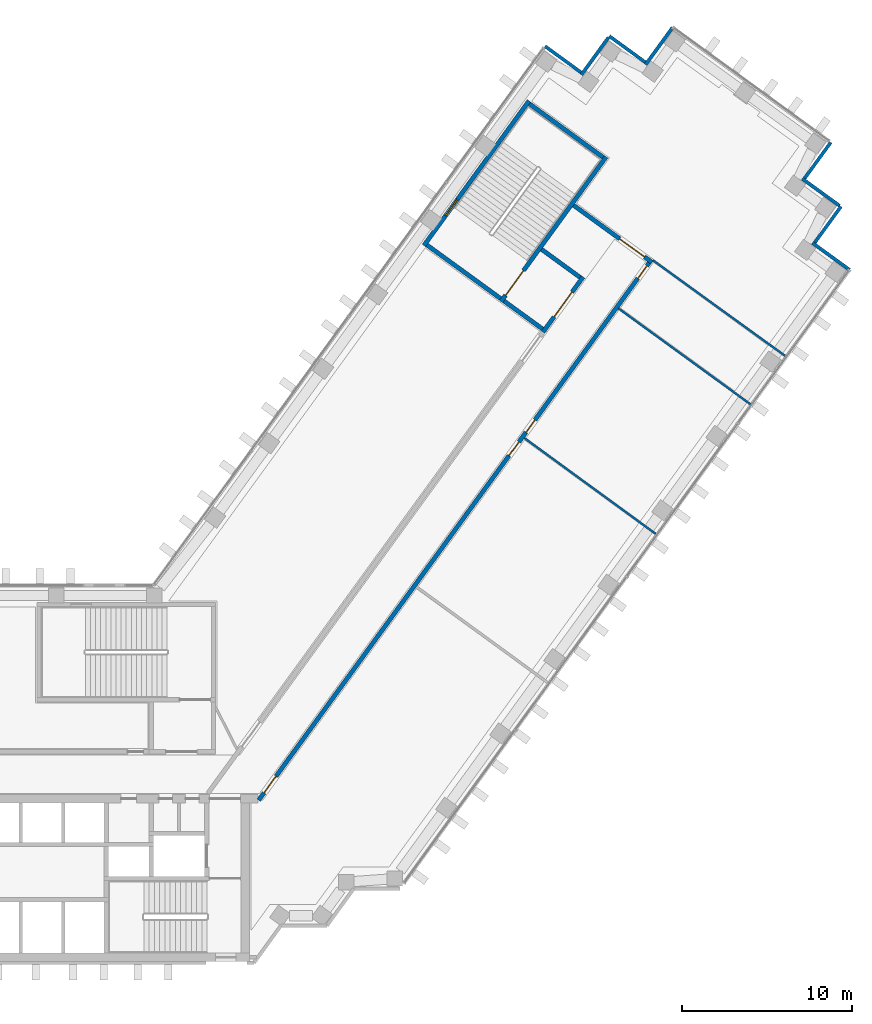
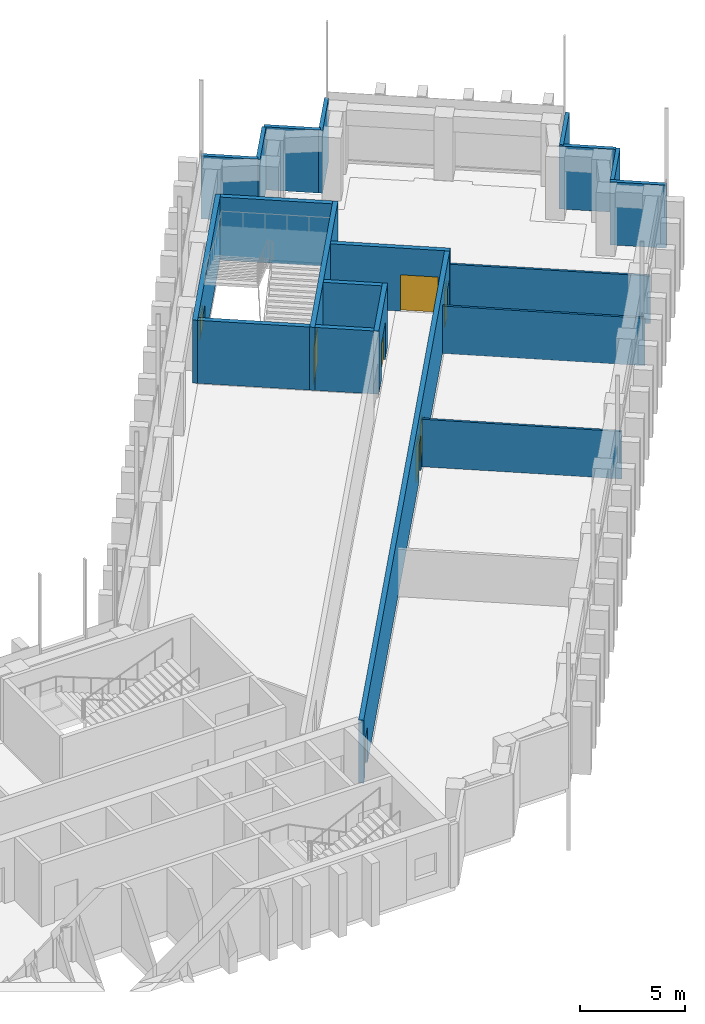
# One storey, part 14 of 18: 20 walls, 7 doors, 1 window, 8 openings.
"""IFC4 building model written with IfcOpenShell, lengths in metres."""

from ifc_helpers import new_model, si_unit, direction, frame, frame_2d, origin, place, context, subcontext, project, spatial, rectangle, extrude, material, layer, layer_set, type_object, element, fill, save


model = new_model("IFC4")

# Units and contexts
model_context = context("Model", 3, precision=1e-05, world=origin(), true_north=direction((0.0, 1.0)))
body_context = subcontext(model_context, "Body", "Model", "MODEL_VIEW")
ifc_project = project(units=[si_unit("LENGTHUNIT", "METRE"), si_unit("AREAUNIT", "SQUARE_METRE"), si_unit("VOLUMEUNIT", "CUBIC_METRE"), si_unit("PLANEANGLEUNIT", "RADIAN"), si_unit("MASSUNIT", "GRAM", prefix="KILO")], contexts=[model_context])

# Site, building, storey
site_placement = place(None, origin())
site = spatial("IfcSite", under=ifc_project, at=site_placement, CompositionType="ELEMENT")
building_placement = place(site_placement, origin())
building = spatial("IfcBuilding", under=site, at=building_placement, Name="Quipu Civic Tower", CompositionType="ELEMENT")
storey_placement = place(building_placement, frame((0.0, 0.0, 59.0)))
storey = spatial("IfcBuildingStorey", under=building, at=storey_placement, Name="L13", CompositionType="ELEMENT", Elevation=59.0)

# Wall, opening, door
ifc_material_1 = material(Name="Concrete C70/85", Category="concrete")
ifc_layer_1 = layer(ifc_material_1, 0.25)
ifc_layer_set_1 = layer_set([ifc_layer_1], Name="Concrete C70/85")
wall_type_1 = type_object("IfcWallType", Name="Core wall 250", PredefinedType="SHEAR", material=ifc_layer_set_1)
wall_1_placement = place(storey_placement, frame((37.237548828125, 25.979736328125, 0.0), z_axis=(0.0, 0.0, 1.0), x_axis=(0.587772420479, 0.809026317077, 0.0)))
wall_1 = element("IfcWall", 1, at=wall_1_placement, inside=storey, type_object=wall_type_1, Name="Core wall", PredefinedType="SHEAR", context=body_context, shape_type="SweptSolid", body=[
    extrude(rectangle(XDim=4.0, YDim=0.25, at=frame_2d((2.0, 0.0))), origin(), (0.0, 0.0, 1.0), 3.64990234375),
])
opening_1_placement = place(wall_1_placement, frame((1.10009765625, 0.0, 0.0)))
opening_1 = element("IfcOpeningElement", 2, at=opening_1_placement, cuts=wall_1, Name="Opening CD-22", PredefinedType="OPENING", context=body_context, shape_type="SweptSolid", body=[
    extrude(rectangle(XDim=1.800048828125, YDim=2.10009765625, at=frame_2d((0.89990234375, 1.050048828125))), frame((0.0, 0.135009765625, 0.0), z_axis=(0.0, -1.0, 0.0), x_axis=(1.0, 0.0, 0.0)), (0.0, 0.0, 1.0), 0.27001953125),
])
ifc_material_2 = material(Name="Fire rated steel door", Category="steel")
door_type_1 = type_object("IfcDoorType", Name="Fire door FD90 double 1800 x 2100", OperationType="NOTDEFINED", PredefinedType="DOOR", material=ifc_material_2)
door_1_placement = place(opening_1_placement, origin())
door_1 = element("IfcDoor", 3, at=door_1_placement, inside=storey, type_object=door_type_1, Name="Lobby door", OperationType="DOUBLE_DOOR_SINGLE_SWING", OverallHeight=2.10009765625, OverallWidth=1.800048828125, PredefinedType="DOOR", context=body_context, shape_type="SweptSolid", body=[
    extrude(rectangle(XDim=1.800048828125, YDim=2.10009765625, at=frame_2d((0.89990234375, 1.050048828125))), frame((0.0, 0.02490234375, 0.0), z_axis=(0.0, -1.0, 0.0), x_axis=(1.0, 0.0, 0.0)), (0.0, 0.0, 1.0), 0.050048828125),
])
fill(opening_1, door_1)

# Walls
for number, where, z_axis, x_axis, name in (
    (4, (37.2099609375, 26.154296875, 0.0), (0.0, 0.0, 1.0), (-0.809041377956, 0.587751689708, 0.0), "Core wall"),
    (5, (39.4140625, 29.18798828125, 0.0), (0.0, 0.0, 1.0), (-0.808969789945, 0.58785021813, 0.0), "Core wall"),
):
    element("IfcWall", number, at=place(storey_placement, frame(where, z_axis=z_axis, x_axis=x_axis)), inside=storey, type_object=wall_type_1, Name=name, PredefinedType="SHEAR", context=body_context, shape_type="SweptSolid", body=[
        extrude(rectangle(XDim=2.800048828125, YDim=0.25, at=frame_2d((1.39990234375, 0.0))), origin(), (0.0, 0.0, 1.0), 3.64990234375),
    ])

# Wall, opening, door
wall_2_placement = place(storey_placement, frame((34.77001953125, 27.7724609375, 0.0), z_axis=(0.0, 0.0, 1.0), x_axis=(0.587795589702, 0.809009483706, 0.0)))
wall_2 = element("IfcWall", 6, at=wall_2_placement, inside=storey, type_object=wall_type_1, Name="Core wall", PredefinedType="SHEAR", context=body_context, shape_type="SweptSolid", body=[
    extrude(rectangle(XDim=10.5, YDim=0.25, at=frame_2d((5.25, 0.0))), origin(), (0.0, 0.0, 1.0), 3.64990234375),
])
opening_2_placement = place(wall_2_placement, frame((0.449951171875, 0.0, 0.0)))
opening_2 = element("IfcOpeningElement", 7, at=opening_2_placement, cuts=wall_2, Name="Opening CD-23", PredefinedType="OPENING", context=body_context, shape_type="SweptSolid", body=[
    extrude(rectangle(XDim=1.800048828125, YDim=2.10009765625, at=frame_2d((0.89990234375, 1.050048828125))), frame((0.0, 0.135009765625, 0.0), z_axis=(0.0, -1.0, 0.0), x_axis=(1.0, 0.0, 0.0)), (0.0, 0.0, 1.0), 0.27001953125),
])
door_2_placement = place(opening_2_placement, origin())
door_2 = element("IfcDoor", 8, at=door_2_placement, inside=storey, type_object=door_type_1, Name="Door", OperationType="DOUBLE_DOOR_SINGLE_SWING", OverallHeight=2.10009765625, OverallWidth=1.800048828125, PredefinedType="DOOR", context=body_context, shape_type="SweptSolid", body=[
    extrude(rectangle(XDim=1.800048828125, YDim=2.10009765625, at=frame_2d((0.89990234375, 1.050048828125))), frame((0.0, 0.02490234375, 0.0), z_axis=(0.0, -1.0, 0.0), x_axis=(1.0, 0.0, 0.0)), (0.0, 0.0, 1.0), 0.050048828125),
])
fill(opening_2, door_2)

# Walls
wall_3_placement = place(storey_placement, frame((34.742431640625, 27.947021484375, 0.0), z_axis=(0.0, 0.0, 1.0), x_axis=(-0.8089984606, 0.587810760999, 0.0)))
element("IfcWall", 9, at=wall_3_placement, inside=storey, type_object=wall_type_1, Name="Core wall", PredefinedType="SHEAR", context=body_context, shape_type="SweptSolid", body=[
    extrude(rectangle(XDim=5.35009765625, YDim=0.25, at=frame_2d((2.675048828125, 0.0))), origin(), (0.0, 0.0, 1.0), 3.64990234375),
])
wall_4_placement = place(storey_placement, frame((40.76708984375, 36.239501953125, 0.0), z_axis=(0.0, 0.0, 1.0), x_axis=(-0.809020161303, 0.587780893365, 0.0)))
element("IfcWall", 10, at=wall_4_placement, inside=storey, type_object=wall_type_1, Name="Core wall", PredefinedType="SHEAR", context=body_context, shape_type="SweptSolid", body=[
    extrude(rectangle(XDim=5.349853515625, YDim=0.25, at=frame_2d((2.6748046875, 0.0))), origin(), (0.0, 0.0, 1.0), 3.64990234375),
])

# Wall, opening, window
wall_5_placement = place(storey_placement, frame((30.239501953125, 31.06396484375, 0.0), z_axis=(0.0, 0.0, 1.0), x_axis=(0.587795589702, 0.809009483706, 0.0)))
wall_5 = element("IfcWall", 11, at=wall_5_placement, inside=storey, type_object=wall_type_1, Name="Core wall", PredefinedType="SHEAR", context=body_context, shape_type="SweptSolid", body=[
    extrude(rectangle(XDim=10.5, YDim=0.25, at=frame_2d((5.25, 0.0))), origin(), (0.0, 0.0, 1.0), 3.64990234375),
])
opening_3_placement = place(wall_5_placement, frame((2.14990234375, 0.0, 1.0)))
opening_3 = element("IfcOpeningElement", 12, at=opening_3_placement, cuts=wall_5, Name="Opening SV-7", PredefinedType="OPENING", context=body_context, shape_type="SweptSolid", body=[
    extrude(rectangle(XDim=1.199951171875, YDim=1.199951171875, at=frame_2d((0.60009765625, 0.60009765625))), frame((0.0, 0.135009765625, 0.0), z_axis=(0.0, -1.0, 0.0), x_axis=(1.0, 0.0, 0.0)), (0.0, 0.0, 1.0), 0.27001953125),
])
ifc_material_3 = material(Name="Aluminium louvre", Category="aluminium")
window_type = type_object("IfcWindowType", Name="Stair ventilation louvre 1200 x 1200", PartitioningType="SINGLE_PANEL", PredefinedType="WINDOW", material=ifc_material_3)
window_placement = place(opening_3_placement, origin())
window = element("IfcWindow", 13, at=window_placement, inside=storey, type_object=window_type, Name="Stair ventilation opening", OverallHeight=1.199951171875, OverallWidth=1.199951171875, PartitioningType="SINGLE_PANEL", PredefinedType="WINDOW", context=body_context, shape_type="SweptSolid", body=[
    extrude(rectangle(XDim=1.199951171875, YDim=1.199951171875, at=frame_2d((0.60009765625, 0.60009765625))), frame((0.0, 0.030029296875, 0.0), z_axis=(0.0, -1.0, 0.0), x_axis=(1.0, 0.0, 0.0)), (0.0, 0.0, 1.0), 0.06005859375),
])
fill(opening_3, window)

# Wall, opening, door
ifc_material_4 = material(Name="Concrete C50/60", Category="concrete")
ifc_layer_2 = layer(ifc_material_4, 0.25)
ifc_layer_set_2 = layer_set([ifc_layer_2], Name="Concrete C50/60")
wall_type_2 = type_object("IfcWallType", Name="Corridor wall 250 concrete", PredefinedType="SOLIDWALL", material=ifc_layer_set_2)
wall_6_placement = place(storey_placement, frame((39.03369140625, 33.419921875, 0.0), z_axis=(0.0, 0.0, 1.0), x_axis=(0.809023325802, -0.587776537732, 0.0)))
wall_6 = element("IfcWall", 14, at=wall_6_placement, inside=storey, type_object=wall_type_2, Name="Corridor wall C07", PredefinedType="SOLIDWALL", context=body_context, shape_type="SweptSolid", body=[
    extrude(rectangle(XDim=5.695068359375, YDim=0.25, at=frame_2d((2.84765625, 0.0))), origin(), (0.0, 0.0, 1.0), 3.64990234375),
])
opening_4_placement = place(wall_6_placement, frame((3.34521484375, 0.0, 0.0)))
opening_4 = element("IfcOpeningElement", 15, at=opening_4_placement, cuts=wall_6, Name="Opening D007", PredefinedType="OPENING", context=body_context, shape_type="SweptSolid", body=[
    extrude(rectangle(XDim=1.800048828125, YDim=2.10009765625, at=frame_2d((0.89990234375, 1.050048828125))), frame((0.0, 0.135009765625, 0.0), z_axis=(0.0, -1.0, 0.0), x_axis=(1.0, 0.0, 0.0)), (0.0, 0.0, 1.0), 0.27001953125),
])
ifc_material_5 = material(Name="Fire rated timber door set with metal frame", Category="wood")
door_type_2 = type_object("IfcDoorType", Name="Double door 1800 x 2100 FD60", OperationType="DOUBLE_DOOR_SINGLE_SWING", PredefinedType="DOOR", material=ifc_material_5)
door_3_placement = place(opening_4_placement, origin())
door_3 = element("IfcDoor", 16, at=door_3_placement, inside=storey, type_object=door_type_2, Name="Door D007", OperationType="DOUBLE_DOOR_SINGLE_SWING", OverallHeight=2.10009765625, OverallWidth=1.800048828125, PredefinedType="DOOR", context=body_context, shape_type="SweptSolid", body=[
    extrude(rectangle(XDim=1.800048828125, YDim=2.10009765625, at=frame_2d((0.89990234375, 1.050048828125))), frame((0.0, 0.02490234375, 0.0), z_axis=(0.0, -1.0, 0.0), x_axis=(1.0, 0.0, 0.0)), (0.0, 0.0, 1.0), 0.050048828125),
])
fill(opening_4, door_3)

# Wall, openings, doors
wall_7_placement = place(storey_placement, frame((43.466552734375, 30.044677734375, 0.0), z_axis=(0.0, 0.0, 1.0), x_axis=(-0.587784726077, -0.809017376692, 0.0)))
wall_7 = element("IfcWall", 17, at=wall_7_placement, inside=storey, type_object=wall_type_2, Name="Corridor wall C08", PredefinedType="SOLIDWALL", context=body_context, shape_type="SweptSolid", body=[
    extrude(rectangle(XDim=39.020263671875, YDim=0.25, at=frame_2d((19.51025390625, 0.0))), origin(), (0.0, 0.0, 1.0), 3.64990234375),
])
opening_5_placement = place(wall_7_placement, frame((11.404296875, 0.0, 0.0)))
opening_5 = element("IfcOpeningElement", 18, at=opening_5_placement, cuts=wall_7, Name="Opening D005", PredefinedType="OPENING", context=body_context, shape_type="SweptSolid", body=[
    extrude(rectangle(XDim=0.89990234375, YDim=2.10009765625, at=frame_2d((0.449951171875, 1.050048828125))), frame((0.0, 0.135009765625, 0.0), z_axis=(0.0, -1.0, 0.0), x_axis=(1.0, 0.0, 0.0)), (0.0, 0.0, 1.0), 0.27001953125),
])
opening_6_placement = place(wall_7_placement, frame((13.00439453125, 0.0, 0.0)))
opening_6 = element("IfcOpeningElement", 19, at=opening_6_placement, cuts=wall_7, Name="Opening D004", PredefinedType="OPENING", context=body_context, shape_type="SweptSolid", body=[
    extrude(rectangle(XDim=1.0, YDim=2.10009765625, at=frame_2d((0.5, 1.050048828125))), frame((0.0, 0.135009765625, 0.0), z_axis=(0.0, -1.0, 0.0), x_axis=(1.0, 0.0, 0.0)), (0.0, 0.0, 1.0), 0.27001953125),
])
opening_7_placement = place(wall_7_placement, frame((37.287109375, 0.0, 0.0)))
opening_7 = element("IfcOpeningElement", 20, at=opening_7_placement, cuts=wall_7, Name="Opening D003", PredefinedType="OPENING", context=body_context, shape_type="SweptSolid", body=[
    extrude(rectangle(XDim=1.199951171875, YDim=2.10009765625, at=frame_2d((0.60009765625, 1.050048828125))), frame((0.0, 0.135009765625, 0.0), z_axis=(0.0, -1.0, 0.0), x_axis=(1.0, 0.0, 0.0)), (0.0, 0.0, 1.0), 0.27001953125),
])
opening_8_placement = place(wall_7_placement, frame((0.224365234375, 0.0, 0.0)))
opening_8 = element("IfcOpeningElement", 21, at=opening_8_placement, cuts=wall_7, Name="Opening D006", PredefinedType="OPENING", context=body_context, shape_type="SweptSolid", body=[
    extrude(rectangle(XDim=0.89990234375, YDim=2.10009765625, at=frame_2d((0.449951171875, 1.050048828125))), frame((0.0, 0.135009765625, 0.0), z_axis=(0.0, -1.0, 0.0), x_axis=(1.0, 0.0, 0.0)), (0.0, 0.0, 1.0), 0.27001953125),
])
ifc_material_6 = material(Name="Fire rated timber door set with metal frame", Category="wood")
door_type_3 = type_object("IfcDoorType", Name="Single door 1000 x 2100 FD60", OperationType="NOTDEFINED", PredefinedType="DOOR", material=ifc_material_6)
door_4_placement = place(opening_6_placement, origin())
door_4 = element("IfcDoor", 22, at=door_4_placement, inside=storey, type_object=door_type_3, Name="Door D004", OperationType="SINGLE_SWING_LEFT", OverallHeight=2.10009765625, OverallWidth=1.0, PredefinedType="DOOR", context=body_context, shape_type="SweptSolid", body=[
    extrude(rectangle(XDim=1.0, YDim=2.10009765625, at=frame_2d((0.5, 1.050048828125))), frame((0.0, 0.02490234375, 0.0), z_axis=(0.0, -1.0, 0.0), x_axis=(1.0, 0.0, 0.0)), (0.0, 0.0, 1.0), 0.050048828125),
])
fill(opening_6, door_4)
ifc_material_7 = material(Name="Fire rated timber door set with metal frame", Category="wood")
door_type_4 = type_object("IfcDoorType", Name="Single door 1200 x 2100 FD60", OperationType="NOTDEFINED", PredefinedType="DOOR", material=ifc_material_7)
door_5_placement = place(opening_7_placement, origin())
door_5 = element("IfcDoor", 23, at=door_5_placement, inside=storey, type_object=door_type_4, Name="Door D003", OperationType="SINGLE_SWING_RIGHT", OverallHeight=2.10009765625, OverallWidth=1.199951171875, PredefinedType="DOOR", context=body_context, shape_type="SweptSolid", body=[
    extrude(rectangle(XDim=1.199951171875, YDim=2.10009765625, at=frame_2d((0.60009765625, 1.050048828125))), frame((0.0, 0.02490234375, 0.0), z_axis=(0.0, -1.0, 0.0), x_axis=(1.0, 0.0, 0.0)), (0.0, 0.0, 1.0), 0.050048828125),
])
fill(opening_7, door_5)
ifc_material_8 = material(Name="Fire rated timber door set with metal frame", Category="wood")
door_type_5 = type_object("IfcDoorType", Name="Single door 900 x 2100 FD60", OperationType="NOTDEFINED", PredefinedType="DOOR", material=ifc_material_8)
door_6_placement = place(opening_5_placement, origin())
door_6 = element("IfcDoor", 24, at=door_6_placement, inside=storey, type_object=door_type_5, Name="Door D005", OperationType="SINGLE_SWING_RIGHT", OverallHeight=2.10009765625, OverallWidth=0.89990234375, PredefinedType="DOOR", context=body_context, shape_type="SweptSolid", body=[
    extrude(rectangle(XDim=0.89990234375, YDim=2.10009765625, at=frame_2d((0.449951171875, 1.050048828125))), frame((0.0, 0.02490234375, 0.0), z_axis=(0.0, -1.0, 0.0), x_axis=(1.0, 0.0, 0.0)), (0.0, 0.0, 1.0), 0.050048828125),
])
fill(opening_5, door_6)
door_7_placement = place(opening_8_placement, origin())
door_7 = element("IfcDoor", 25, at=door_7_placement, inside=storey, type_object=door_type_5, Name="Door D006", OperationType="SINGLE_SWING_LEFT", OverallHeight=2.10009765625, OverallWidth=0.89990234375, PredefinedType="DOOR", context=body_context, shape_type="SweptSolid", body=[
    extrude(rectangle(XDim=0.89990234375, YDim=2.10009765625, at=frame_2d((0.449951171875, 1.050048828125))), frame((0.0, 0.02490234375, 0.0), z_axis=(0.0, -1.0, 0.0), x_axis=(1.0, 0.0, 0.0)), (0.0, 0.0, 1.0), 0.050048828125),
])
fill(opening_8, door_7)

# Walls
ifc_material_9 = material(Name="Gypsum plasterboard on light gauge framing")
ifc_layer_3 = layer(ifc_material_9, 0.1201171875)
ifc_layer_set_3 = layer_set([ifc_layer_3], Name="Gypsum plasterboard on light gauge framing")
wall_type_3 = type_object("IfcWallType", Name="Partition 120 plasterboard", PredefinedType="PARTITIONING", material=ifc_layer_set_3)
wall_8_placement = place(storey_placement, frame((43.698486328125, 30.185302734375, 0.0), z_axis=(0.0, 0.0, 1.0), x_axis=(0.810419489461, -0.58585002441, 0.0)))
element("IfcWall", 26, at=wall_8_placement, inside=storey, type_object=wall_type_3, Name="Partition P01", PredefinedType="PARTITIONING", context=body_context, shape_type="SweptSolid", body=[
    extrude(rectangle(XDim=9.570068359375, YDim=0.1201171875, at=frame_2d((4.78515625, 0.0))), origin(), (0.0, 0.0, 1.0), 2.75),
])
wall_9_placement = place(storey_placement, frame((36.140869140625, 19.749267578125, 0.0), z_axis=(0.0, 0.0, 1.0), x_axis=(0.807691251741, -0.589605666408, 0.0)))
element("IfcWall", 27, at=wall_9_placement, inside=storey, type_object=wall_type_3, Name="Partition P06", PredefinedType="PARTITIONING", context=body_context, shape_type="SweptSolid", body=[
    extrude(rectangle(XDim=9.55029296875, YDim=0.1201171875, at=frame_2d((4.775146484375, 0.0))), origin(), (0.0, 0.0, 1.0), 2.75),
])
wall_10_placement = place(storey_placement, frame((49.47998046875, 21.689697265625, 0.0), z_axis=(0.0, 0.0, 1.0), x_axis=(-0.808999631097, 0.587809150052, 0.0)))
element("IfcWall", 28, at=wall_10_placement, inside=storey, type_object=wall_type_3, Name="Partition P07", PredefinedType="PARTITIONING", context=body_context, shape_type="SweptSolid", body=[
    extrude(rectangle(XDim=9.6513671875, YDim=0.1201171875, at=frame_2d((4.82568359375, 0.0))), origin(), (0.0, 0.0, 1.0), 2.75),
])
ifc_material_10 = material(Name="Precast concrete C40/50", Category="concrete")
wall_type_4 = type_object("IfcWallType", Name="Precast cladding wall", PredefinedType="SOLIDWALL", material=ifc_material_10)
wall_11_placement = place(storey_placement, frame((55.2470703125, 29.62890625, 0.0), z_axis=(0.0, 0.0, 1.0), x_axis=(-0.809033161865, 0.587762999008, 0.0)))
element("IfcWall", 29, at=wall_11_placement, inside=storey, type_object=wall_type_4, Name="Precast cladding wall L13 P24", PredefinedType="SOLIDWALL", context=body_context, shape_type="SweptSolid", body=[
    extrude(rectangle(XDim=2.699951171875, YDim=0.199951171875, at=frame_2d((1.35009765625, 0.0))), origin(), (0.0, 0.0, 1.0), 3.64990234375),
])
wall_12_placement = place(storey_placement, frame((53.150634765625, 31.166748046875, 0.0), z_axis=(0.0, 0.0, 1.0), x_axis=(0.587779184282, 0.809021403008, 0.0)))
element("IfcWall", 30, at=wall_12_placement, inside=storey, type_object=wall_type_4, Name="Precast cladding wall L13 P25", PredefinedType="SOLIDWALL", context=body_context, shape_type="SweptSolid", body=[
    extrude(rectangle(XDim=2.7001953125, YDim=0.199951171875, at=frame_2d((1.35009765625, 0.0))), origin(), (0.0, 0.0, 1.0), 3.64990234375),
])
for number, where, z_axis, x_axis, name in (
    (31, (54.649658203125, 33.400390625, 0.0), (0.0, 0.0, 1.0), (-0.809033161865, 0.587762999008, 0.0), "Precast cladding wall L13 P26"),
    (32, (52.55322265625, 34.938232421875, 0.0), (0.0, 0.0, 1.0), (0.587822180636, 0.808990163075, 0.0), "Precast cladding wall L13 P27"),
    (33, (44.846435546875, 43.875, 0.0), (0.0, 0.0, 1.0), (-0.587822180636, -0.808990163075, 0.0), "Precast cladding wall L13 P29"),
    (34, (43.308349609375, 41.77880859375, 0.0), (0.0, 0.0, 1.0), (-0.809033161865, 0.587762999008, 0.0), "Precast cladding wall L13 P30"),
):
    element("IfcWall", number, at=place(storey_placement, frame(where, z_axis=z_axis, x_axis=x_axis)), inside=storey, type_object=wall_type_4, Name=name, PredefinedType="SOLIDWALL", context=body_context, shape_type="SweptSolid", body=[
        extrude(rectangle(XDim=2.699951171875, YDim=0.199951171875, at=frame_2d((1.35009765625, 0.0))), origin(), (0.0, 0.0, 1.0), 3.64990234375),
    ])
wall_13_placement = place(storey_placement, frame((41.074951171875, 43.277587890625, 0.0), z_axis=(0.0, 0.0, 1.0), x_axis=(-0.587806000234, -0.809001919707, 0.0)))
element("IfcWall", 35, at=wall_13_placement, inside=storey, type_object=wall_type_4, Name="Precast cladding wall L13 P31", PredefinedType="SOLIDWALL", context=body_context, shape_type="SweptSolid", body=[
    extrude(rectangle(XDim=2.69970703125, YDim=0.199951171875, at=frame_2d((1.349853515625, 0.0))), origin(), (0.0, 0.0, 1.0), 3.64990234375),
])
wall_14_placement = place(storey_placement, frame((39.537109375, 41.181396484375, 0.0), z_axis=(0.0, 0.0, 1.0), x_axis=(-0.809033161865, 0.587762999008, 0.0)))
element("IfcWall", 36, at=wall_14_placement, inside=storey, type_object=wall_type_4, Name="Precast cladding wall L13 P32", PredefinedType="SOLIDWALL", context=body_context, shape_type="SweptSolid", body=[
    extrude(rectangle(XDim=2.699951171875, YDim=0.199951171875, at=frame_2d((1.35009765625, 0.0))), origin(), (0.0, 0.0, 1.0), 3.64990234375),
])

save(model, "model.ifc")
